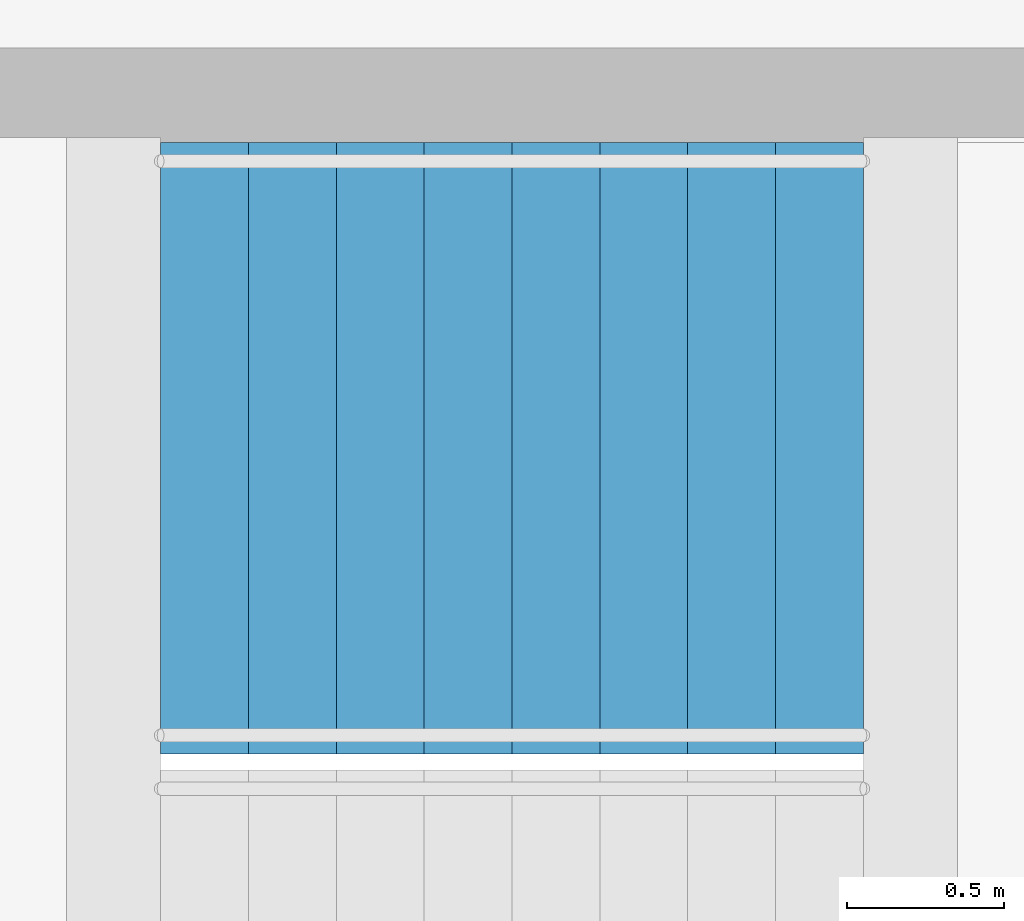
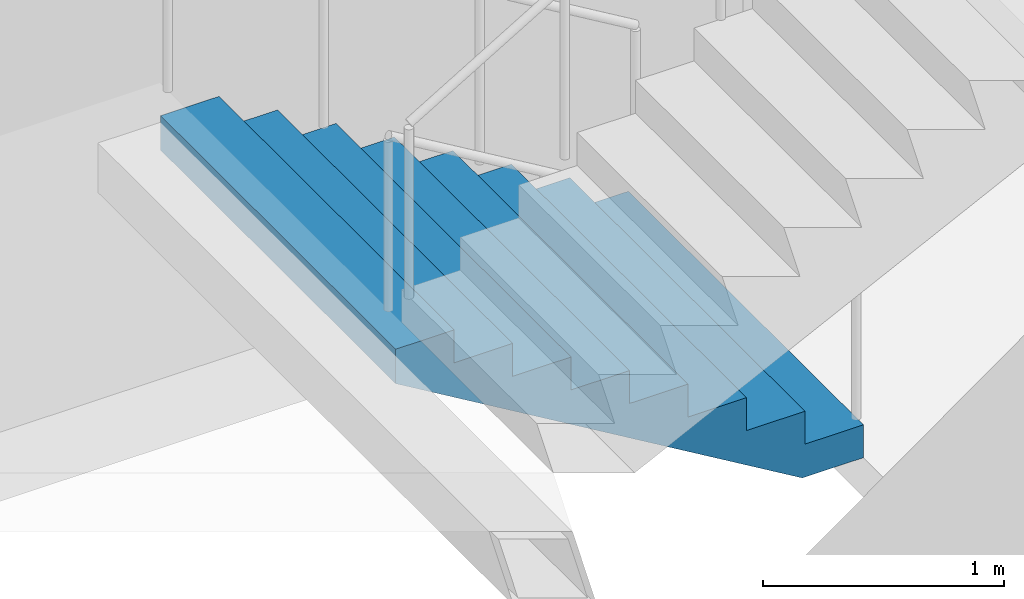
# One storey, part 33 of 57: 1 stair flight, 1 element without a shape of its own.
"""IFC4 building model written with IfcOpenShell, lengths in metres."""

from ifc_helpers import new_model, si_unit, direction, frame, origin, place, context, subcontext, project, spatial, triangles, material, type_object, element, aggregate, save


model = new_model("IFC4")

# Units and contexts
model_context = context("Model", 3, precision=1e-05, world=origin(), true_north=direction((0.0, 1.0)))
body_context = subcontext(model_context, "Body", "Model", "MODEL_VIEW")
ifc_project = project(units=[si_unit("LENGTHUNIT", "METRE"), si_unit("AREAUNIT", "SQUARE_METRE"), si_unit("VOLUMEUNIT", "CUBIC_METRE"), si_unit("PLANEANGLEUNIT", "RADIAN"), si_unit("MASSUNIT", "GRAM", prefix="KILO")], contexts=[model_context])

# Site, building, storey
site_placement = place(None, origin())
site = spatial("IfcSite", under=ifc_project, at=site_placement, CompositionType="ELEMENT")
building_placement = place(site_placement, origin())
building = spatial("IfcBuilding", under=site, at=building_placement, Name="Orbita Commons", CompositionType="ELEMENT")
storey_placement = place(building_placement, origin())
storey = spatial("IfcBuildingStorey", under=building, at=storey_placement, Name="L00", CompositionType="ELEMENT", Elevation=0.0)

# Stair, stair flight
ifc_material_1 = material(Name="Precast concrete C40/50", Category="concrete")
stair_type = type_object("IfcStairType", Name="Exit stair S2 4 flights 9 risers 167", PredefinedType="HALF_TURN_STAIR", material=ifc_material_1)
stair_placement = place(storey_placement, origin())
stair = element("IfcStair", 1, at=stair_placement, inside=storey, type_object=stair_type, Name="Exit stair S2 L00", PredefinedType="HALF_TURN_STAIR")
ifc_material_2 = material(Name="Precast concrete C40/50", Category="concrete")
stair_flight_type = type_object("IfcStairFlightType", Name="Stair flight 9 risers 167 x 280", PredefinedType="STRAIGHT", material=ifc_material_2)
stair_flight_placement = place(storey_placement, frame((63.550048828125, 29.27490234375, 0.0), z_axis=(0.0, 0.0, 1.0), x_axis=(-1.0, 0.0, 0.0)))
stair_flight = element("IfcStairFlight", 2, at=stair_flight_placement, type_object=stair_flight_type, Name="S2 flight 1", NumberOfRisers=9, NumberOfTreads=8, PredefinedType="STRAIGHT", RiserHeight=0.166666667, TreadLength=0.28, context=body_context, shape_type="Tessellation", body=[
    triangles([(0.0, 0.974976, 0.0), (0.0, 0.974976, 0.020833), (0.0, 0.81248, 0.020833), (0.0, 0.81248, 0.0), (0.0, 0.649984, 0.020833), (0.0, 0.649984, 0.0), (0.0, 0.487488, 0.020833), (0.0, 0.487488, 0.0), (0.0, 0.324992, 0.020833), (0.0, 0.324992, 0.0), (0.0, 0.162496, 0.020833), (0.0, 0.162496, 0.0), (0.0, 0.0, 0.020833), (0.0, 0.0, 0.0), (0.0, -0.162496, 0.020833), (0.0, -0.162496, 0.0), (0.0, -0.324992, 0.020833), (0.0, -0.324992, 0.0), (0.0, -0.487488, 0.020833), (0.0, -0.487488, 0.0), (0.0, -0.649984, 0.020833), (0.0, -0.649984, 0.0), (0.0, -0.81248, 0.020833), (0.0, -0.81248, 0.0), (0.0, -0.974976, 0.020833), (0.0, -0.974976, 0.0), (0.0, 0.974976, 0.041667), (0.0, 0.81248, 0.041667), (0.0, 0.649984, 0.041667), (0.0, 0.487488, 0.041667), (0.0, 0.324992, 0.041667), (0.0, 0.162496, 0.041667), (0.0, 0.0, 0.041667), (0.0, -0.162496, 0.041667), (0.0, -0.324992, 0.041667), (0.0, -0.487488, 0.041667), (0.0, -0.649984, 0.041667), (0.0, -0.81248, 0.041667), (0.0, -0.974976, 0.041667), (0.0, 0.974976, 0.0625), (0.0, 0.81248, 0.0625), (0.0, 0.649984, 0.0625), (0.0, 0.487488, 0.0625), (0.0, 0.324992, 0.0625), (0.0, 0.162496, 0.0625), (0.0, 0.0, 0.0625), (0.0, -0.162496, 0.0625), (0.0, -0.324992, 0.0625), (0.0, -0.487488, 0.0625), (0.0, -0.649984, 0.0625), (0.0, -0.81248, 0.0625), (0.0, -0.974976, 0.0625), (0.0, 0.974976, 0.083333), (0.0, 0.81248, 0.083333), (0.0, 0.649984, 0.083333), (0.0, 0.487488, 0.083333), (0.0, 0.324992, 0.083333), (0.0, 0.162496, 0.083333), (0.0, 0.0, 0.083333), (0.0, -0.162496, 0.083333), (0.0, -0.324992, 0.083333), (0.0, -0.487488, 0.083333), (0.0, -0.649984, 0.083333), (0.0, -0.81248, 0.083333), (0.0, -0.974976, 0.083333), (0.0, 0.974976, 0.104167), (0.0, 0.81248, 0.104167), (0.0, 0.649984, 0.104167), (0.0, 0.487488, 0.104167), (0.0, 0.324992, 0.104167), (0.0, 0.162496, 0.104167), (0.0, 0.0, 0.104167), (0.0, -0.162496, 0.104167), (0.0, -0.324992, 0.104167), (0.0, -0.487488, 0.104167), (0.0, -0.649984, 0.104167), (0.0, -0.81248, 0.104167), (0.0, -0.974976, 0.104167), (0.0, 0.974976, 0.125), (0.0, 0.81248, 0.125), (0.0, 0.649984, 0.125), (0.0, 0.487488, 0.125), (0.0, 0.324992, 0.125), (0.0, 0.162496, 0.125), (0.0, 0.0, 0.125), (0.0, -0.162496, 0.125), (0.0, -0.324992, 0.125), (0.0, -0.487488, 0.125), (0.0, -0.649984, 0.125), (0.0, -0.81248, 0.125), (0.0, -0.974976, 0.125), (0.0, 0.974976, 0.145833), (0.0, 0.81248, 0.145833), (0.0, 0.649984, 0.145833), (0.0, 0.487488, 0.145833), (0.0, 0.324992, 0.145833), (0.0, 0.162496, 0.145833), (0.0, 0.0, 0.145833), (0.0, -0.162496, 0.145833), (0.0, -0.324992, 0.145833), (0.0, -0.487488, 0.145833), (0.0, -0.649984, 0.145833), (0.0, -0.81248, 0.145833), (0.0, -0.974976, 0.145833), (0.0, 0.974976, 0.166667), (0.0, 0.81248, 0.166667), (0.0, 0.649984, 0.166667), (0.0, 0.487488, 0.166667), (0.0, 0.324992, 0.166667), (0.0, 0.162496, 0.166667), (0.0, 0.0, 0.166667), (0.0, -0.162496, 0.166667), (0.0, -0.324992, 0.166667), (0.0, -0.487488, 0.166667), (0.0, -0.649984, 0.166667), (0.0, -0.81248, 0.166667), (0.0, -0.974976, 0.166667), (0.28, 0.974976, 0.166667), (0.28, 0.81248, 0.166667), (0.28, 0.649984, 0.166667), (0.28, 0.487488, 0.166667), (0.28, 0.324992, 0.166667), (0.28, 0.162496, 0.166667), (0.28, 0.0, 0.166667), (0.28, -0.162496, 0.166667), (0.28, -0.324992, 0.166667), (0.28, -0.487488, 0.166667), (0.28, -0.649984, 0.166667), (0.28, -0.81248, 0.166667), (0.28, -0.974976, 0.166667), (0.28, 0.974976, 0.333333), (0.28, 0.81248, 0.333333), (0.28, 0.649984, 0.333333), (0.28, 0.487488, 0.333333), (0.28, 0.324992, 0.333333), (0.28, 0.162496, 0.333333), (0.28, 0.0, 0.333333), (0.28, -0.162496, 0.333333), (0.28, -0.324992, 0.333333), (0.28, -0.487488, 0.333333), (0.28, -0.649984, 0.333333), (0.28, -0.81248, 0.333333), (0.28, -0.974976, 0.333333), (0.56, 0.974976, 0.333333), (0.56, 0.81248, 0.333333), (0.56, 0.649984, 0.333333), (0.56, 0.487488, 0.333333), (0.56, 0.324992, 0.333333), (0.56, 0.162496, 0.333333), (0.56, 0.0, 0.333333), (0.56, -0.162496, 0.333333), (0.56, -0.324992, 0.333333), (0.56, -0.487488, 0.333333), (0.56, -0.649984, 0.333333), (0.56, -0.81248, 0.333333), (0.56, -0.974976, 0.333333), (0.56, 0.974976, 0.5), (0.56, 0.81248, 0.5), (0.56, 0.649984, 0.5), (0.56, 0.487488, 0.5), (0.56, 0.324992, 0.5), (0.56, 0.162496, 0.5), (0.56, 0.0, 0.5), (0.56, -0.162496, 0.5), (0.56, -0.324992, 0.5), (0.56, -0.487488, 0.5), (0.56, -0.649984, 0.5), (0.56, -0.81248, 0.5), (0.56, -0.974976, 0.5), (0.84, 0.974976, 0.5), (0.84, 0.81248, 0.5), (0.84, 0.649984, 0.5), (0.84, 0.487488, 0.5), (0.84, 0.324992, 0.5), (0.84, 0.162496, 0.5), (0.84, 0.0, 0.5), (0.84, -0.162496, 0.5), (0.84, -0.324992, 0.5), (0.84, -0.487488, 0.5), (0.84, -0.649984, 0.5), (0.84, -0.81248, 0.5), (0.84, -0.974976, 0.5), (0.84, 0.974976, 0.666667), (0.84, 0.81248, 0.666667), (0.84, 0.649984, 0.666667), (0.84, 0.487488, 0.666667), (0.84, 0.324992, 0.666667), (0.84, 0.162496, 0.666667), (0.84, 0.0, 0.666667), (0.84, -0.162496, 0.666667), (0.84, -0.324992, 0.666667), (0.84, -0.487488, 0.666667), (0.84, -0.649984, 0.666667), (0.84, -0.81248, 0.666667), (0.84, -0.974976, 0.666667), (1.12, 0.974976, 0.666667), (1.12, 0.81248, 0.666667), (1.12, 0.649984, 0.666667), (1.12, 0.487488, 0.666667), (1.12, 0.324992, 0.666667), (1.12, 0.162496, 0.666667), (1.12, 0.0, 0.666667), (1.12, -0.162496, 0.666667), (1.12, -0.324992, 0.666667), (1.12, -0.487488, 0.666667), (1.12, -0.649984, 0.666667), (1.12, -0.81248, 0.666667), (1.12, -0.974976, 0.666667), (1.12, 0.974976, 0.833333), (1.12, 0.81248, 0.833333), (1.12, 0.649984, 0.833333), (1.12, 0.487488, 0.833333), (1.12, 0.324992, 0.833333), (1.12, 0.162496, 0.833333), (1.12, 0.0, 0.833333), (1.12, -0.162496, 0.833333), (1.12, -0.324992, 0.833333), (1.12, -0.487488, 0.833333), (1.12, -0.649984, 0.833333), (1.12, -0.81248, 0.833333), (1.12, -0.974976, 0.833333), (1.4, 0.974976, 0.833333), (1.4, 0.81248, 0.833333), (1.4, 0.649984, 0.833333), (1.4, 0.487488, 0.833333), (1.4, 0.324992, 0.833333), (1.4, 0.162496, 0.833333), (1.4, 0.0, 0.833333), (1.4, -0.162496, 0.833333), (1.4, -0.324992, 0.833333), (1.4, -0.487488, 0.833333), (1.4, -0.649984, 0.833333), (1.4, -0.81248, 0.833333), (1.4, -0.974976, 0.833333), (1.4, 0.974976, 1.0), (1.4, 0.81248, 1.0), (1.4, 0.649984, 1.0), (1.4, 0.487488, 1.0), (1.4, 0.324992, 1.0), (1.4, 0.162496, 1.0), (1.4, 0.0, 1.0), (1.4, -0.162496, 1.0), (1.4, -0.324992, 1.0), (1.4, -0.487488, 1.0), (1.4, -0.649984, 1.0), (1.4, -0.81248, 1.0), (1.4, -0.974976, 1.0), (1.68, 0.974976, 1.0), (1.68, 0.81248, 1.0), (1.68, 0.649984, 1.0), (1.68, 0.487488, 1.0), (1.68, 0.324992, 1.0), (1.68, 0.162496, 1.0), (1.68, 0.0, 1.0), (1.68, -0.162496, 1.0), (1.68, -0.324992, 1.0), (1.68, -0.487488, 1.0), (1.68, -0.649984, 1.0), (1.68, -0.81248, 1.0), (1.68, -0.974976, 1.0), (1.68, 0.974976, 1.166667), (1.68, 0.81248, 1.166667), (1.68, 0.649984, 1.166667), (1.68, 0.487488, 1.166667), (1.68, 0.324992, 1.166667), (1.68, 0.162496, 1.166667), (1.68, 0.0, 1.166667), (1.68, -0.162496, 1.166667), (1.68, -0.324992, 1.166667), (1.68, -0.487488, 1.166667), (1.68, -0.649984, 1.166667), (1.68, -0.81248, 1.166667), (1.68, -0.974976, 1.166667), (1.96, 0.974976, 1.166667), (1.96, 0.81248, 1.166667), (1.96, 0.649984, 1.166667), (1.96, 0.487488, 1.166667), (1.96, 0.324992, 1.166667), (1.96, 0.162496, 1.166667), (1.96, 0.0, 1.166667), (1.96, -0.162496, 1.166667), (1.96, -0.324992, 1.166667), (1.96, -0.487488, 1.166667), (1.96, -0.649984, 1.166667), (1.96, -0.81248, 1.166667), (1.96, -0.974976, 1.166667), (1.96, 0.974976, 1.333333), (1.96, 0.81248, 1.333333), (1.96, 0.649984, 1.333333), (1.96, 0.487488, 1.333333), (1.96, 0.324992, 1.333333), (1.96, 0.162496, 1.333333), (1.96, 0.0, 1.333333), (1.96, -0.162496, 1.333333), (1.96, -0.324992, 1.333333), (1.96, -0.487488, 1.333333), (1.96, -0.649984, 1.333333), (1.96, -0.81248, 1.333333), (1.96, -0.974976, 1.333333), (2.24, 0.974976, 1.333333), (2.24, 0.81248, 1.333333), (2.24, 0.649984, 1.333333), (2.24, 0.487488, 1.333333), (2.24, 0.324992, 1.333333), (2.24, 0.162496, 1.333333), (2.24, 0.0, 1.333333), (2.24, -0.162496, 1.333333), (2.24, -0.324992, 1.333333), (2.24, -0.487488, 1.333333), (2.24, -0.649984, 1.333333), (2.24, -0.81248, 1.333333), (2.24, -0.974976, 1.333333), (2.24, 0.974976, 1.311527), (2.24, 0.81248, 1.311527), (2.24, 0.649984, 1.311527), (2.24, 0.487488, 1.311527), (2.24, 0.324992, 1.311527), (2.24, 0.162496, 1.311527), (2.24, 0.0, 1.311527), (2.24, -0.162496, 1.311527), (2.24, -0.324992, 1.311527), (2.24, -0.487488, 1.311527), (2.24, -0.649984, 1.311527), (2.24, -0.81248, 1.311527), (2.24, -0.974976, 1.311527), (2.24, 0.974976, 1.289721), (2.24, 0.81248, 1.289721), (2.24, 0.649984, 1.289721), (2.24, 0.487488, 1.289721), (2.24, 0.324992, 1.289721), (2.24, 0.162496, 1.289721), (2.24, 0.0, 1.289721), (2.24, -0.162496, 1.289721), (2.24, -0.324992, 1.289721), (2.24, -0.487488, 1.289721), (2.24, -0.649984, 1.289721), (2.24, -0.81248, 1.289721), (2.24, -0.974976, 1.289721), (2.24, 0.974976, 1.267915), (2.24, 0.81248, 1.267915), (2.24, 0.649984, 1.267915), (2.24, 0.487488, 1.267915), (2.24, 0.324992, 1.267915), (2.24, 0.162496, 1.267915), (2.24, 0.0, 1.267915), (2.24, -0.162496, 1.267915), (2.24, -0.324992, 1.267915), (2.24, -0.487488, 1.267915), (2.24, -0.649984, 1.267915), (2.24, -0.81248, 1.267915), (2.24, -0.974976, 1.267915), (2.24, 0.974976, 1.246109), (2.24, 0.81248, 1.246109), (2.24, 0.649984, 1.246109), (2.24, 0.487488, 1.246109), (2.24, 0.324992, 1.246109), (2.24, 0.162496, 1.246109), (2.24, 0.0, 1.246109), (2.24, -0.162496, 1.246109), (2.24, -0.324992, 1.246109), (2.24, -0.487488, 1.246109), (2.24, -0.649984, 1.246109), (2.24, -0.81248, 1.246109), (2.24, -0.974976, 1.246109), (2.24, 0.974976, 1.224303), (2.24, 0.81248, 1.224303), (2.24, 0.649984, 1.224303), (2.24, 0.487488, 1.224303), (2.24, 0.324992, 1.224303), (2.24, 0.162496, 1.224303), (2.24, 0.0, 1.224303), (2.24, -0.162496, 1.224303), (2.24, -0.324992, 1.224303), (2.24, -0.487488, 1.224303), (2.24, -0.649984, 1.224303), (2.24, -0.81248, 1.224303), (2.24, -0.974976, 1.224303), (2.24, 0.974976, 1.202497), (2.24, 0.81248, 1.202497), (2.24, 0.649984, 1.202497), (2.24, 0.487488, 1.202497), (2.24, 0.324992, 1.202497), (2.24, 0.162496, 1.202497), (2.24, 0.0, 1.202497), (2.24, -0.162496, 1.202497), (2.24, -0.324992, 1.202497), (2.24, -0.487488, 1.202497), (2.24, -0.649984, 1.202497), (2.24, -0.81248, 1.202497), (2.24, -0.974976, 1.202497), (2.24, 0.974976, 1.180691), (2.24, 0.81248, 1.180691), (2.24, 0.649984, 1.180691), (2.24, 0.487488, 1.180691), (2.24, 0.324992, 1.180691), (2.24, 0.162496, 1.180691), (2.24, 0.0, 1.180691), (2.24, -0.162496, 1.180691), (2.24, -0.324992, 1.180691), (2.24, -0.487488, 1.180691), (2.24, -0.649984, 1.180691), (2.24, -0.81248, 1.180691), (2.24, -0.974976, 1.180691), (2.24, 0.974976, 1.158885), (2.24, 0.81248, 1.158885), (2.24, 0.649984, 1.158885), (2.24, 0.487488, 1.158885), (2.24, 0.324992, 1.158885), (2.24, 0.162496, 1.158885), (2.24, 0.0, 1.158885), (2.24, -0.162496, 1.158885), (2.24, -0.324992, 1.158885), (2.24, -0.487488, 1.158885), (2.24, -0.649984, 1.158885), (2.24, -0.81248, 1.158885), (2.24, -0.974976, 1.158885), (0.293073, 0.974976, 0.0), (0.293073, 0.81248, 0.0), (0.293073, 0.649984, 0.0), (0.293073, 0.487488, 0.0), (0.293073, 0.324992, 0.0), (0.293073, 0.162496, 0.0), (0.293073, 0.0, 0.0), (0.293073, -0.162496, 0.0), (0.293073, -0.324992, 0.0), (0.293073, -0.487488, 0.0), (0.293073, -0.649984, 0.0), (0.293073, -0.81248, 0.0), (0.293073, -0.974976, 0.0)], [[3, 2, 1], [4, 3, 1], [5, 3, 4], [6, 5, 4], [7, 5, 6], [8, 7, 6], [9, 7, 8], [10, 9, 8], [11, 9, 10], [12, 11, 10], [13, 11, 12], [14, 13, 12], [15, 13, 14], [16, 15, 14], [17, 15, 16], [18, 17, 16], [19, 17, 18], [20, 19, 18], [21, 19, 20], [22, 21, 20], [23, 21, 22], [24, 23, 22], [25, 23, 24], [26, 25, 24], [28, 27, 2], [3, 28, 2], [29, 28, 3], [5, 29, 3], [30, 29, 5], [7, 30, 5], [31, 30, 7], [9, 31, 7], [32, 31, 9], [11, 32, 9], [33, 32, 11], [13, 33, 11], [34, 33, 13], [15, 34, 13], [35, 34, 15], [17, 35, 15], [36, 35, 17], [19, 36, 17], [37, 36, 19], [21, 37, 19], [38, 37, 21], [23, 38, 21], [39, 38, 23], [25, 39, 23], [41, 40, 27], [28, 41, 27], [42, 41, 28], [29, 42, 28], [43, 42, 29], [30, 43, 29], [44, 43, 30], [31, 44, 30], [45, 44, 31], [32, 45, 31], [46, 45, 32], [33, 46, 32], [47, 46, 33], [34, 47, 33], [48, 47, 34], [35, 48, 34], [49, 48, 35], [36, 49, 35], [50, 49, 36], [37, 50, 36], [51, 50, 37], [38, 51, 37], [52, 51, 38], [39, 52, 38], [54, 53, 40], [41, 54, 40], [55, 54, 41], [42, 55, 41], [56, 55, 42], [43, 56, 42], [57, 56, 43], [44, 57, 43], [58, 57, 44], [45, 58, 44], [59, 58, 45], [46, 59, 45], [60, 59, 46], [47, 60, 46], [61, 60, 47], [48, 61, 47], [62, 61, 48], [49, 62, 48], [63, 62, 49], [50, 63, 49], [64, 63, 50], [51, 64, 50], [65, 64, 51], [52, 65, 51], [67, 66, 53], [54, 67, 53], [68, 67, 54], [55, 68, 54], [69, 68, 55], [56, 69, 55], [70, 69, 56], [57, 70, 56], [71, 70, 57], [58, 71, 57], [72, 71, 58], [59, 72, 58], [73, 72, 59], [60, 73, 59], [74, 73, 60], [61, 74, 60], [75, 74, 61], [62, 75, 61], [76, 75, 62], [63, 76, 62], [77, 76, 63], [64, 77, 63], [78, 77, 64], [65, 78, 64], [80, 79, 66], [67, 80, 66], [81, 80, 67], [68, 81, 67], [82, 81, 68], [69, 82, 68], [83, 82, 69], [70, 83, 69], [84, 83, 70], [71, 84, 70], [85, 84, 71], [72, 85, 71], [86, 85, 72], [73, 86, 72], [87, 86, 73], [74, 87, 73], [88, 87, 74], [75, 88, 74], [89, 88, 75], [76, 89, 75], [90, 89, 76], [77, 90, 76], [91, 90, 77], [78, 91, 77], [93, 92, 79], [80, 93, 79], [94, 93, 80], [81, 94, 80], [95, 94, 81], [82, 95, 81], [96, 95, 82], [83, 96, 82], [97, 96, 83], [84, 97, 83], [98, 97, 84], [85, 98, 84], [99, 98, 85], [86, 99, 85], [100, 99, 86], [87, 100, 86], [101, 100, 87], [88, 101, 87], [102, 101, 88], [89, 102, 88], [103, 102, 89], [90, 103, 89], [104, 103, 90], [91, 104, 90], [106, 105, 92], [93, 106, 92], [107, 106, 93], [94, 107, 93], [108, 107, 94], [95, 108, 94], [109, 108, 95], [96, 109, 95], [110, 109, 96], [97, 110, 96], [111, 110, 97], [98, 111, 97], [112, 111, 98], [99, 112, 98], [113, 112, 99], [100, 113, 99], [114, 113, 100], [101, 114, 100], [115, 114, 101], [102, 115, 101], [116, 115, 102], [103, 116, 102], [117, 116, 103], [104, 117, 103], [119, 118, 105], [106, 119, 105], [120, 119, 106], [107, 120, 106], [121, 120, 107], [108, 121, 107], [122, 121, 108], [109, 122, 108], [123, 122, 109], [110, 123, 109], [124, 123, 110], [111, 124, 110], [125, 124, 111], [112, 125, 111], [126, 125, 112], [113, 126, 112], [127, 126, 113], [114, 127, 113], [128, 127, 114], [115, 128, 114], [129, 128, 115], [116, 129, 115], [130, 129, 116], [117, 130, 116], [132, 131, 118], [119, 132, 118], [133, 132, 119], [120, 133, 119], [134, 133, 120], [121, 134, 120], [135, 134, 121], [122, 135, 121], [136, 135, 122], [123, 136, 122], [137, 136, 123], [124, 137, 123], [138, 137, 124], [125, 138, 124], [139, 138, 125], [126, 139, 125], [140, 139, 126], [127, 140, 126], [141, 140, 127], [128, 141, 127], [142, 141, 128], [129, 142, 128], [143, 142, 129], [130, 143, 129], [145, 144, 131], [132, 145, 131], [146, 145, 132], [133, 146, 132], [147, 146, 133], [134, 147, 133], [148, 147, 134], [135, 148, 134], [149, 148, 135], [136, 149, 135], [150, 149, 136], [137, 150, 136], [151, 150, 137], [138, 151, 137], [152, 151, 138], [139, 152, 138], [153, 152, 139], [140, 153, 139], [154, 153, 140], [141, 154, 140], [155, 154, 141], [142, 155, 141], [156, 155, 142], [143, 156, 142], [158, 157, 144], [145, 158, 144], [159, 158, 145], [146, 159, 145], [160, 159, 146], [147, 160, 146], [161, 160, 147], [148, 161, 147], [162, 161, 148], [149, 162, 148], [163, 162, 149], [150, 163, 149], [164, 163, 150], [151, 164, 150], [165, 164, 151], [152, 165, 151], [166, 165, 152], [153, 166, 152], [167, 166, 153], [154, 167, 153], [168, 167, 154], [155, 168, 154], [169, 168, 155], [156, 169, 155], [171, 170, 157], [158, 171, 157], [172, 171, 158], [159, 172, 158], [173, 172, 159], [160, 173, 159], [174, 173, 160], [161, 174, 160], [175, 174, 161], [162, 175, 161], [176, 175, 162], [163, 176, 162], [177, 176, 163], [164, 177, 163], [178, 177, 164], [165, 178, 164], [179, 178, 165], [166, 179, 165], [180, 179, 166], [167, 180, 166], [181, 180, 167], [168, 181, 167], [182, 181, 168], [169, 182, 168], [184, 183, 170], [171, 184, 170], [185, 184, 171], [172, 185, 171], [186, 185, 172], [173, 186, 172], [187, 186, 173], [174, 187, 173], [188, 187, 174], [175, 188, 174], [189, 188, 175], [176, 189, 175], [190, 189, 176], [177, 190, 176], [191, 190, 177], [178, 191, 177], [192, 191, 178], [179, 192, 178], [193, 192, 179], [180, 193, 179], [194, 193, 180], [181, 194, 180], [195, 194, 181], [182, 195, 181], [197, 196, 183], [184, 197, 183], [198, 197, 184], [185, 198, 184], [199, 198, 185], [186, 199, 185], [200, 199, 186], [187, 200, 186], [201, 200, 187], [188, 201, 187], [202, 201, 188], [189, 202, 188], [203, 202, 189], [190, 203, 189], [204, 203, 190], [191, 204, 190], [205, 204, 191], [192, 205, 191], [206, 205, 192], [193, 206, 192], [207, 206, 193], [194, 207, 193], [208, 207, 194], [195, 208, 194], [210, 209, 196], [197, 210, 196], [211, 210, 197], [198, 211, 197], [212, 211, 198], [199, 212, 198], [213, 212, 199], [200, 213, 199], [214, 213, 200], [201, 214, 200], [215, 214, 201], [202, 215, 201], [216, 215, 202], [203, 216, 202], [217, 216, 203], [204, 217, 203], [218, 217, 204], [205, 218, 204], [219, 218, 205], [206, 219, 205], [220, 219, 206], [207, 220, 206], [221, 220, 207], [208, 221, 207], [223, 222, 209], [210, 223, 209], [224, 223, 210], [211, 224, 210], [225, 224, 211], [212, 225, 211], [226, 225, 212], [213, 226, 212], [227, 226, 213], [214, 227, 213], [228, 227, 214], [215, 228, 214], [229, 228, 215], [216, 229, 215], [230, 229, 216], [217, 230, 216], [231, 230, 217], [218, 231, 217], [232, 231, 218], [219, 232, 218], [233, 232, 219], [220, 233, 219], [234, 233, 220], [221, 234, 220], [236, 235, 222], [223, 236, 222], [237, 236, 223], [224, 237, 223], [238, 237, 224], [225, 238, 224], [239, 238, 225], [226, 239, 225], [240, 239, 226], [227, 240, 226], [241, 240, 227], [228, 241, 227], [242, 241, 228], [229, 242, 228], [243, 242, 229], [230, 243, 229], [244, 243, 230], [231, 244, 230], [245, 244, 231], [232, 245, 231], [246, 245, 232], [233, 246, 232], [247, 246, 233], [234, 247, 233], [249, 248, 235], [236, 249, 235], [250, 249, 236], [237, 250, 236], [251, 250, 237], [238, 251, 237], [252, 251, 238], [239, 252, 238], [253, 252, 239], [240, 253, 239], [254, 253, 240], [241, 254, 240], [255, 254, 241], [242, 255, 241], [256, 255, 242], [243, 256, 242], [257, 256, 243], [244, 257, 243], [258, 257, 244], [245, 258, 244], [259, 258, 245], [246, 259, 245], [260, 259, 246], [247, 260, 246], [262, 261, 248], [249, 262, 248], [263, 262, 249], [250, 263, 249], [264, 263, 250], [251, 264, 250], [265, 264, 251], [252, 265, 251], [266, 265, 252], [253, 266, 252], [267, 266, 253], [254, 267, 253], [268, 267, 254], [255, 268, 254], [269, 268, 255], [256, 269, 255], [270, 269, 256], [257, 270, 256], [271, 270, 257], [258, 271, 257], [272, 271, 258], [259, 272, 258], [273, 272, 259], [260, 273, 259], [275, 274, 261], [262, 275, 261], [276, 275, 262], [263, 276, 262], [277, 276, 263], [264, 277, 263], [278, 277, 264], [265, 278, 264], [279, 278, 265], [266, 279, 265], [280, 279, 266], [267, 280, 266], [281, 280, 267], [268, 281, 267], [282, 281, 268], [269, 282, 268], [283, 282, 269], [270, 283, 269], [284, 283, 270], [271, 284, 270], [285, 284, 271], [272, 285, 271], [286, 285, 272], [273, 286, 272], [288, 287, 274], [275, 288, 274], [289, 288, 275], [276, 289, 275], [290, 289, 276], [277, 290, 276], [291, 290, 277], [278, 291, 277], [292, 291, 278], [279, 292, 278], [293, 292, 279], [280, 293, 279], [294, 293, 280], [281, 294, 280], [295, 294, 281], [282, 295, 281], [296, 295, 282], [283, 296, 282], [297, 296, 283], [284, 297, 283], [298, 297, 284], [285, 298, 284], [299, 298, 285], [286, 299, 285], [301, 300, 287], [288, 301, 287], [302, 301, 288], [289, 302, 288], [303, 302, 289], [290, 303, 289], [304, 303, 290], [291, 304, 290], [305, 304, 291], [292, 305, 291], [306, 305, 292], [293, 306, 292], [307, 306, 293], [294, 307, 293], [308, 307, 294], [295, 308, 294], [309, 308, 295], [296, 309, 295], [310, 309, 296], [297, 310, 296], [311, 310, 297], [298, 311, 297], [312, 311, 298], [299, 312, 298], [314, 313, 300], [301, 314, 300], [315, 314, 301], [302, 315, 301], [316, 315, 302], [303, 316, 302], [317, 316, 303], [304, 317, 303], [318, 317, 304], [305, 318, 304], [319, 318, 305], [306, 319, 305], [320, 319, 306], [307, 320, 306], [321, 320, 307], [308, 321, 307], [322, 321, 308], [309, 322, 308], [323, 322, 309], [310, 323, 309], [324, 323, 310], [311, 324, 310], [325, 324, 311], [312, 325, 311], [327, 326, 313], [314, 327, 313], [328, 327, 314], [315, 328, 314], [329, 328, 315], [316, 329, 315], [330, 329, 316], [317, 330, 316], [331, 330, 317], [318, 331, 317], [332, 331, 318], [319, 332, 318], [333, 332, 319], [320, 333, 319], [334, 333, 320], [321, 334, 320], [335, 334, 321], [322, 335, 321], [336, 335, 322], [323, 336, 322], [337, 336, 323], [324, 337, 323], [338, 337, 324], [325, 338, 324], [340, 339, 326], [327, 340, 326], [341, 340, 327], [328, 341, 327], [342, 341, 328], [329, 342, 328], [343, 342, 329], [330, 343, 329], [344, 343, 330], [331, 344, 330], [345, 344, 331], [332, 345, 331], [346, 345, 332], [333, 346, 332], [347, 346, 333], [334, 347, 333], [348, 347, 334], [335, 348, 334], [349, 348, 335], [336, 349, 335], [350, 349, 336], [337, 350, 336], [351, 350, 337], [338, 351, 337], [353, 352, 339], [340, 353, 339], [354, 353, 340], [341, 354, 340], [355, 354, 341], [342, 355, 341], [356, 355, 342], [343, 356, 342], [357, 356, 343], [344, 357, 343], [358, 357, 344], [345, 358, 344], [359, 358, 345], [346, 359, 345], [360, 359, 346], [347, 360, 346], [361, 360, 347], [348, 361, 347], [362, 361, 348], [349, 362, 348], [363, 362, 349], [350, 363, 349], [364, 363, 350], [351, 364, 350], [366, 365, 352], [353, 366, 352], [367, 366, 353], [354, 367, 353], [368, 367, 354], [355, 368, 354], [369, 368, 355], [356, 369, 355], [370, 369, 356], [357, 370, 356], [371, 370, 357], [358, 371, 357], [372, 371, 358], [359, 372, 358], [373, 372, 359], [360, 373, 359], [374, 373, 360], [361, 374, 360], [375, 374, 361], [362, 375, 361], [376, 375, 362], [363, 376, 362], [377, 376, 363], [364, 377, 363], [379, 378, 365], [366, 379, 365], [380, 379, 366], [367, 380, 366], [381, 380, 367], [368, 381, 367], [382, 381, 368], [369, 382, 368], [383, 382, 369], [370, 383, 369], [384, 383, 370], [371, 384, 370], [385, 384, 371], [372, 385, 371], [386, 385, 372], [373, 386, 372], [387, 386, 373], [374, 387, 373], [388, 387, 374], [375, 388, 374], [389, 388, 375], [376, 389, 375], [390, 389, 376], [377, 390, 376], [392, 391, 378], [379, 392, 378], [393, 392, 379], [380, 393, 379], [394, 393, 380], [381, 394, 380], [395, 394, 381], [382, 395, 381], [396, 395, 382], [383, 396, 382], [397, 396, 383], [384, 397, 383], [398, 397, 384], [385, 398, 384], [399, 398, 385], [386, 399, 385], [400, 399, 386], [387, 400, 386], [401, 400, 387], [388, 401, 387], [402, 401, 388], [389, 402, 388], [403, 402, 389], [390, 403, 389], [405, 404, 391], [392, 405, 391], [406, 405, 392], [393, 406, 392], [407, 406, 393], [394, 407, 393], [408, 407, 394], [395, 408, 394], [409, 408, 395], [396, 409, 395], [410, 409, 396], [397, 410, 396], [411, 410, 397], [398, 411, 397], [412, 411, 398], [399, 412, 398], [413, 412, 399], [400, 413, 399], [414, 413, 400], [401, 414, 400], [415, 414, 401], [402, 415, 401], [416, 415, 402], [403, 416, 402], [418, 417, 404], [405, 418, 404], [419, 418, 405], [406, 419, 405], [420, 419, 406], [407, 420, 406], [421, 420, 407], [408, 421, 407], [422, 421, 408], [409, 422, 408], [423, 422, 409], [410, 423, 409], [424, 423, 410], [411, 424, 410], [425, 424, 411], [412, 425, 411], [426, 425, 412], [413, 426, 412], [427, 426, 413], [414, 427, 413], [428, 427, 414], [415, 428, 414], [429, 428, 415], [416, 429, 415], [4, 1, 417], [418, 4, 417], [6, 4, 418], [419, 6, 418], [8, 6, 419], [420, 8, 419], [10, 8, 420], [421, 10, 420], [12, 10, 421], [422, 12, 421], [14, 12, 422], [423, 14, 422], [16, 14, 423], [424, 16, 423], [18, 16, 424], [425, 18, 424], [20, 18, 425], [426, 20, 425], [22, 20, 426], [427, 22, 426], [24, 22, 427], [428, 24, 427], [26, 24, 428], [429, 26, 428], [404, 417, 1], [26, 429, 416], [391, 404, 1], [26, 416, 403], [378, 391, 1], [26, 403, 390], [365, 378, 1], [26, 390, 377], [352, 365, 1], [26, 377, 364], [339, 352, 1], [26, 364, 351], [326, 339, 1], [26, 351, 338], [313, 326, 1], [26, 338, 325], [287, 300, 313], [325, 312, 299], [274, 287, 313], [325, 299, 286], [248, 261, 274], [286, 273, 260], [248, 274, 313], [325, 286, 260], [222, 235, 248], [260, 247, 234], [222, 248, 313], [325, 260, 234], [196, 209, 222], [234, 221, 208], [196, 222, 313], [325, 234, 208], [170, 183, 196], [208, 195, 182], [170, 196, 313], [325, 208, 182], [144, 157, 170], [182, 169, 156], [144, 170, 313], [325, 182, 156], [118, 131, 144], [156, 143, 130], [118, 144, 313], [325, 156, 130], [118, 313, 1], [26, 325, 130], [92, 105, 118], [130, 117, 104], [79, 92, 118], [130, 104, 91], [66, 79, 118], [130, 91, 78], [53, 66, 118], [130, 78, 65], [40, 53, 118], [130, 65, 52], [27, 40, 118], [130, 52, 39], [2, 27, 118], [130, 39, 25], [1, 2, 118], [130, 25, 26]], closed=True),
])
aggregate(stair, [stair_flight])

save(model, "model.ifc")
